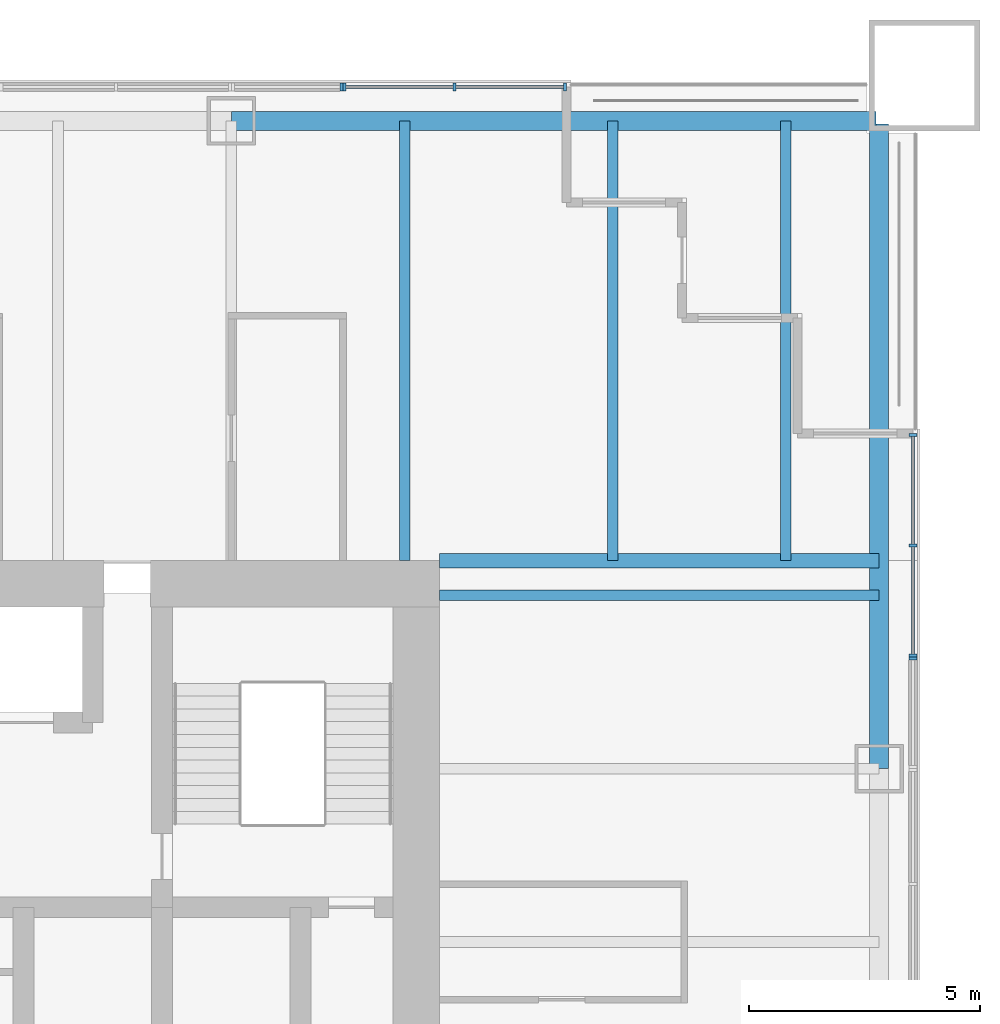
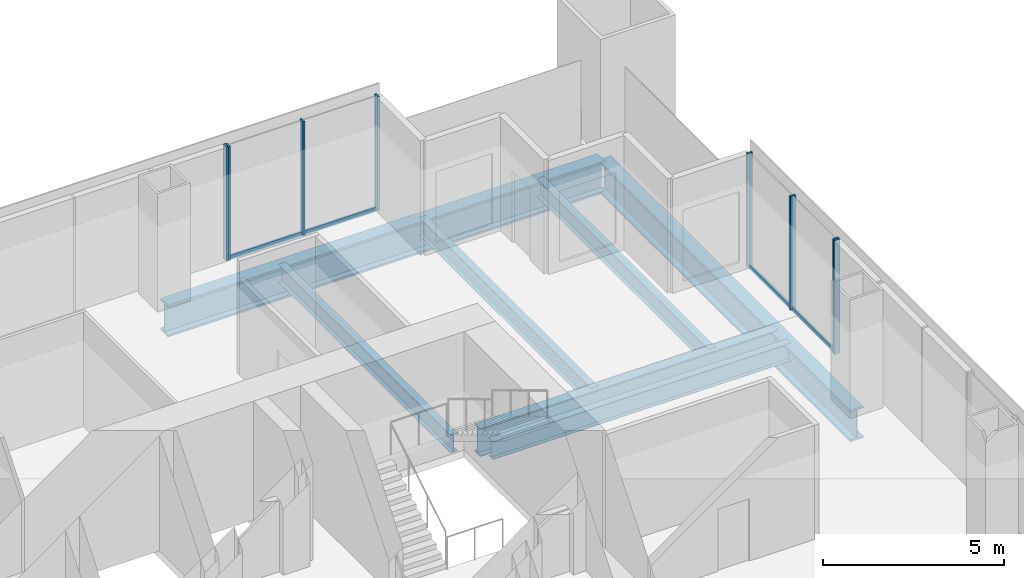
# One storey, part 6 of 13: 12 members, 7 beams, 4 elements without a shape of their own.
"""IFC4 building model written with IfcOpenShell, lengths in metres."""

from ifc_helpers import new_model, si_unit, direction, frame, origin, origin_2d, place, context, subcontext, project, spatial, rectangle, i_section, extrude, material, material_profile, profile_set, type_object, element, aggregate, save


model = new_model("IFC4")

# Units and contexts
model_context = context("Model", 3, precision=1e-05, world=origin(), true_north=direction((0.0, 1.0)))
body_context = subcontext(model_context, "Body", "Model", "MODEL_VIEW")
ifc_project = project(units=[si_unit("LENGTHUNIT", "METRE"), si_unit("AREAUNIT", "SQUARE_METRE"), si_unit("VOLUMEUNIT", "CUBIC_METRE"), si_unit("PLANEANGLEUNIT", "RADIAN"), si_unit("MASSUNIT", "GRAM", prefix="KILO")], contexts=[model_context])

# Site, building, storey
site_placement = place(None, origin())
site = spatial("IfcSite", under=ifc_project, at=site_placement, CompositionType="ELEMENT")
building_placement = place(site_placement, origin())
building = spatial("IfcBuilding", under=site, at=building_placement, Name="Tarangal Relay Tower", CompositionType="ELEMENT")
storey_placement = place(building_placement, frame((0.0, 0.0, 237.89990234375)))
storey = spatial("IfcBuildingStorey", under=building, at=storey_placement, Name="L51", CompositionType="ELEMENT", Elevation=237.89990234375)

# Beams
ifc_material_1 = material(Name="Steel ASTM A992", Category="steel")
ifc_material_profile_1 = material_profile(ifc_material_1, i_section(OverallWidth=0.227783203125, OverallDepth=0.60205078125, WebThickness=0.010498046875, FlangeThickness=0.014892578125, at=origin_2d()), Name="W24X68")
ifc_profile_set_1 = profile_set([ifc_material_profile_1], Name="Steel ASTM A992")
beam_type_1 = type_object("IfcBeamType", Name="Corner beam W24X68", PredefinedType="JOIST", material=ifc_profile_set_1)
for number, where, z_axis, x_axis, name in (
    (1, (15.75, 12.0, -0.450927734375), (0.0, 1.0, 0.0), (-1.0, 0.0, 0.0), "Corner beam CB11 N L51"),
    (2, (19.5, 12.0, -0.450927734375), (0.0, 1.0, 0.0), (-1.0, 0.0, 0.0), "Corner beam CB11 N L51"),
):
    element("IfcBeam", number, at=place(storey_placement, frame(where, z_axis=z_axis, x_axis=x_axis)), inside=storey, type_object=beam_type_1, Name=name, PredefinedType="JOIST", context=body_context, shape_type="SweptSolid", body=[
        extrude(i_section(OverallWidth=0.227783203125, OverallDepth=0.60205078125, WebThickness=0.010498046875, FlangeThickness=0.014892578125, at=origin_2d()), origin(), (0.0, 0.0, 1.0), 9.514892578125),
    ])
ifc_material_profile_2 = material_profile(ifc_material_1, i_section(OverallWidth=0.307373046875, OverallDepth=0.9423828125, WebThickness=0.022216796875, FlangeThickness=0.039794921875, at=origin_2d()), Name="W36X232")
ifc_profile_set_2 = profile_set([ifc_material_profile_2], Name="Steel ASTM A992")
beam_type_2 = type_object("IfcBeamType", Name="Corner girder W36X232", PredefinedType="BEAM", material=ifc_profile_set_2)
beam_placement = place(storey_placement, frame((12.0, 12.0, -0.62109375), z_axis=(1.0, 0.0, 0.0), x_axis=(0.0, 1.0, 0.0)))
element("IfcBeam", 3, at=beam_placement, inside=storey, type_object=beam_type_2, Name="Corner girder CG4 N L51", PredefinedType="BEAM", context=body_context, shape_type="SweptSolid", body=[
    extrude(i_section(OverallWidth=0.307373046875, OverallDepth=0.9423828125, WebThickness=0.022216796875, FlangeThickness=0.039794921875, at=origin_2d()), origin(), (0.0, 0.0, 1.0), 9.514892578125),
])
ifc_material_profile_3 = material_profile(ifc_material_1, i_section(OverallWidth=0.41650390625, OverallDepth=1.0693359375, WebThickness=0.0390625, FlangeThickness=0.070068359375, at=origin_2d()), Name="W40X503")
ifc_profile_set_3 = profile_set([ifc_material_profile_3], Name="Steel ASTM A992")
beam_type_3 = type_object("IfcBeamType", Name="Edge girder W40X503", PredefinedType="SPANDREL", material=ifc_profile_set_3)
for number, where, z_axis, x_axis, name in (
    (4, (7.5, 21.514892578125, -0.6845703125), (1.0, 0.0, 0.0), (0.0, 1.0, 0.0), "Edge girder EG8 N L51"),
    (5, (21.514892578125, 21.449951171875, -0.6845703125), (0.0, -1.0, 0.0), (1.0, 0.0, 0.0), "Edge girder EG8 E L51"),
):
    element("IfcBeam", number, at=place(storey_placement, frame(where, z_axis=z_axis, x_axis=x_axis)), inside=storey, type_object=beam_type_3, Name=name, PredefinedType="SPANDREL", context=body_context, shape_type="SweptSolid", body=[
        extrude(i_section(OverallWidth=0.41650390625, OverallDepth=1.0693359375, WebThickness=0.0390625, FlangeThickness=0.070068359375, at=origin_2d()), origin(), (0.0, 0.0, 1.0), 13.949951171875),
    ])
ifc_material_profile_4 = material_profile(ifc_material_1, i_section(OverallWidth=0.22900390625, OverallDepth=0.612060546875, WebThickness=0.011962890625, FlangeThickness=0.01953125, at=origin_2d()), Name="W24X84")
ifc_profile_set_4 = profile_set([ifc_material_profile_4], Name="Steel ASTM A992")
beam_type_4 = type_object("IfcBeamType", Name="Floor beam W24X84", PredefinedType="BEAM", material=ifc_profile_set_4)
for number, where, z_axis, x_axis, name in (
    (6, (11.25, 12.0, -0.455810546875), (0.0, 1.0, 0.0), (-1.0, 0.0, 0.0), "Floor beam RB12 N L51"),
    (7, (12.0, 11.25, -0.455810546875), (1.0, 0.0, 0.0), (0.0, 1.0, 0.0), "Floor beam RB12 E L51"),
):
    element("IfcBeam", number, at=place(storey_placement, frame(where, z_axis=z_axis, x_axis=x_axis)), inside=storey, type_object=beam_type_4, Name=name, PredefinedType="BEAM", context=body_context, shape_type="SweptSolid", body=[
        extrude(i_section(OverallWidth=0.22900390625, OverallDepth=0.612060546875, WebThickness=0.011962890625, FlangeThickness=0.01953125, at=origin_2d()), origin(), (0.0, 0.0, 1.0), 9.514892578125),
    ])

# Curtain wall, members
ifc_material_2 = material(Name="Unitised curtain wall, dark glass and black aluminium", Category="aluminium")
curtain_wall_type_1 = type_object("IfcCurtainWallType", Name="Curtain wall CW-A", PredefinedType="USERDEFINED", material=ifc_material_2)
curtain_wall_1_placement = place(storey_placement, origin())
curtain_wall_1 = element("IfcCurtainWall", 8, at=curtain_wall_1_placement, inside=storey, type_object=curtain_wall_type_1, Name="Curtain wall CW-A N facade L51", ObjectType="UNITISED CURTAIN WALL", PredefinedType="USERDEFINED")
ifc_material_3 = material(Name="Black anodised aluminium mullion", Category="aluminium")
ifc_material_profile_5 = material_profile(ifc_material_3, rectangle(XDim=0.175048828125, YDim=0.06494140625, at=origin_2d()), Name="CW-AM 65X175")
ifc_profile_set_5 = profile_set([ifc_material_profile_5], Name="Black anodised aluminium mullion")
member_type_1 = type_object("IfcMemberType", Name="Mullion CW-A 65 x 175", PredefinedType="MULLION", material=ifc_profile_set_5)
member_1_placement = place(storey_placement, frame((9.94921875, 22.25, 0.0), z_axis=(0.0, 0.0, 1.0), x_axis=(0.0, 1.0, 0.0)))
member_1 = element("IfcMember", 9, at=member_1_placement, type_object=member_type_1, Name="CW-A mullion 1", PredefinedType="MULLION", context=body_context, shape_type="SweptSolid", body=[
    extrude(rectangle(XDim=0.175048828125, YDim=0.06494140625, at=origin_2d()), origin(), (0.0, 0.0, 1.0), 3.85009765625),
])
member_2_placement = place(storey_placement, frame((12.333251953125, 22.25, 0.0), z_axis=(0.0, 0.0, 1.0), x_axis=(0.0, 1.0, 0.0)))
member_2 = element("IfcMember", 10, at=member_2_placement, type_object=member_type_1, Name="CW-A mullion 2", PredefinedType="MULLION", context=body_context, shape_type="SweptSolid", body=[
    extrude(rectangle(XDim=0.175048828125, YDim=0.06494140625, at=origin_2d()), origin(), (0.0, 0.0, 1.0), 3.85009765625),
])
member_3_placement = place(storey_placement, frame((14.717529296875, 22.25, 0.0), z_axis=(0.0, 0.0, 1.0), x_axis=(0.0, 1.0, 0.0)))
member_3 = element("IfcMember", 11, at=member_3_placement, type_object=member_type_1, Name="CW-A mullion 3", PredefinedType="MULLION", context=body_context, shape_type="SweptSolid", body=[
    extrude(rectangle(XDim=0.175048828125, YDim=0.06494140625, at=origin_2d()), origin(), (0.0, 0.0, 1.0), 3.85009765625),
])

curtain_wall_2_placement = place(storey_placement, origin())
curtain_wall_2 = element("IfcCurtainWall", 12, at=curtain_wall_2_placement, inside=storey, type_object=curtain_wall_type_1, Name="Curtain wall CW-A E facade L51", ObjectType="UNITISED CURTAIN WALL", PredefinedType="USERDEFINED")
member_4_placement = place(storey_placement, frame((22.25, 14.717529296875, 0.0), z_axis=(0.0, 0.0, 1.0), x_axis=(1.0, 0.0, 0.0)))
member_4 = element("IfcMember", 13, at=member_4_placement, type_object=member_type_1, Name="CW-A mullion 1", PredefinedType="MULLION", context=body_context, shape_type="SweptSolid", body=[
    extrude(rectangle(XDim=0.175048828125, YDim=0.06494140625, at=origin_2d()), origin(), (0.0, 0.0, 1.0), 3.85009765625),
])
member_5_placement = place(storey_placement, frame((22.25, 12.333251953125, 0.0), z_axis=(0.0, 0.0, 1.0), x_axis=(1.0, 0.0, 0.0)))
member_5 = element("IfcMember", 14, at=member_5_placement, type_object=member_type_1, Name="CW-A mullion 2", PredefinedType="MULLION", context=body_context, shape_type="SweptSolid", body=[
    extrude(rectangle(XDim=0.175048828125, YDim=0.06494140625, at=origin_2d()), origin(), (0.0, 0.0, 1.0), 3.85009765625),
])
member_6_placement = place(storey_placement, frame((22.25, 9.94921875, 0.0), z_axis=(0.0, 0.0, 1.0), x_axis=(1.0, 0.0, 0.0)))
member_6 = element("IfcMember", 15, at=member_6_placement, type_object=member_type_1, Name="CW-A mullion 3", PredefinedType="MULLION", context=body_context, shape_type="SweptSolid", body=[
    extrude(rectangle(XDim=0.175048828125, YDim=0.06494140625, at=origin_2d()), origin(), (0.0, 0.0, 1.0), 3.85009765625),
])

# Curtain wall, member
ifc_material_4 = material(Name="Unitised curtain wall frame, black aluminium, with metal clad infill walls", Category="aluminium")
curtain_wall_type_2 = type_object("IfcCurtainWallType", Name="Curtain wall CW-AO", PredefinedType="USERDEFINED", material=ifc_material_4)
curtain_wall_3_placement = place(storey_placement, origin())
curtain_wall_3 = element("IfcCurtainWall", 16, at=curtain_wall_3_placement, inside=storey, type_object=curtain_wall_type_2, Name="Curtain wall CW-AO N facade L51", ObjectType="UNITISED CURTAIN WALL", PredefinedType="USERDEFINED")
ifc_material_profile_6 = material_profile(ifc_material_3, rectangle(XDim=0.175048828125, YDim=0.06494140625, at=origin_2d()), Name="CW-AOM 65X175")
ifc_profile_set_6 = profile_set([ifc_material_profile_6], Name="Black anodised aluminium mullion")
member_type_2 = type_object("IfcMemberType", Name="Mullion CW-AO 65 x 175", PredefinedType="MULLION", material=ifc_profile_set_6)
member_7_placement = place(storey_placement, frame((9.88427734375, 22.25, 0.0), z_axis=(0.0, 0.0, 1.0), x_axis=(0.0, 1.0, 0.0)))
member_7 = element("IfcMember", 17, at=member_7_placement, type_object=member_type_2, Name="CW-AO mullion 2", PredefinedType="MULLION", context=body_context, shape_type="SweptSolid", body=[
    extrude(rectangle(XDim=0.175048828125, YDim=0.06494140625, at=origin_2d()), origin(), (0.0, 0.0, 1.0), 3.85009765625),
])
aggregate(curtain_wall_3, [member_7])

curtain_wall_4_placement = place(storey_placement, origin())
curtain_wall_4 = element("IfcCurtainWall", 18, at=curtain_wall_4_placement, inside=storey, type_object=curtain_wall_type_2, Name="Curtain wall CW-AO E facade L51", ObjectType="UNITISED CURTAIN WALL", PredefinedType="USERDEFINED")
member_8_placement = place(storey_placement, frame((22.25, 9.88427734375, 0.0), z_axis=(0.0, 0.0, 1.0), x_axis=(1.0, 0.0, 0.0)))
member_8 = element("IfcMember", 19, at=member_8_placement, type_object=member_type_2, Name="CW-AO mullion 1", PredefinedType="MULLION", context=body_context, shape_type="SweptSolid", body=[
    extrude(rectangle(XDim=0.175048828125, YDim=0.06494140625, at=origin_2d()), origin(), (0.0, 0.0, 1.0), 3.85009765625),
])
aggregate(curtain_wall_4, [member_8])

# Member
ifc_material_5 = material(Name="Black anodised aluminium transom", Category="aluminium")
ifc_material_profile_7 = material_profile(ifc_material_5, rectangle(XDim=0.06494140625, YDim=0.14990234375, at=origin_2d()), Name="CW-AT 65X150")
ifc_profile_set_7 = profile_set([ifc_material_profile_7], Name="Black anodised aluminium transom")
member_type_3 = type_object("IfcMemberType", Name="Transom CW-A 65 x 150", PredefinedType="USERDEFINED", material=ifc_profile_set_7)
member_9_placement = place(storey_placement, frame((9.981689453125, 22.25, 0.03271484375), z_axis=(1.0, 0.0, 0.0), x_axis=(0.0, 1.0, 0.0)))
member_9 = element("IfcMember", 20, at=member_9_placement, type_object=member_type_3, Name="CW-A transom 1.1", ObjectType="TRANSOM", PredefinedType="USERDEFINED", context=body_context, shape_type="SweptSolid", body=[
    extrude(rectangle(XDim=0.06494140625, YDim=0.14990234375, at=origin_2d()), origin(), (0.0, 0.0, 1.0), 2.319091796875),
])

member_10_placement = place(storey_placement, frame((12.365966796875, 22.25, 0.03271484375), z_axis=(1.0, 0.0, 0.0), x_axis=(0.0, 1.0, 0.0)))
member_10 = element("IfcMember", 21, at=member_10_placement, type_object=member_type_3, Name="CW-A transom 2.1", ObjectType="TRANSOM", PredefinedType="USERDEFINED", context=body_context, shape_type="SweptSolid", body=[
    extrude(rectangle(XDim=0.06494140625, YDim=0.14990234375, at=origin_2d()), origin(), (0.0, 0.0, 1.0), 2.319091796875),
])

aggregate(curtain_wall_1, [member_1, member_2, member_3, member_9, member_10])

member_11_placement = place(storey_placement, frame((22.25, 14.68505859375, 0.03271484375), z_axis=(0.0, -1.0, 0.0), x_axis=(1.0, 0.0, 0.0)))
member_11 = element("IfcMember", 22, at=member_11_placement, type_object=member_type_3, Name="CW-A transom 1.1", ObjectType="TRANSOM", PredefinedType="USERDEFINED", context=body_context, shape_type="SweptSolid", body=[
    extrude(rectangle(XDim=0.06494140625, YDim=0.14990234375, at=origin_2d()), origin(), (0.0, 0.0, 1.0), 2.319091796875),
])

member_12_placement = place(storey_placement, frame((22.25, 12.30078125, 0.03271484375), z_axis=(0.0, -1.0, 0.0), x_axis=(1.0, 0.0, 0.0)))
member_12 = element("IfcMember", 23, at=member_12_placement, type_object=member_type_3, Name="CW-A transom 2.1", ObjectType="TRANSOM", PredefinedType="USERDEFINED", context=body_context, shape_type="SweptSolid", body=[
    extrude(rectangle(XDim=0.06494140625, YDim=0.14990234375, at=origin_2d()), origin(), (0.0, 0.0, 1.0), 2.319091796875),
])

aggregate(curtain_wall_2, [member_4, member_5, member_6, member_11, member_12])

save(model, "model.ifc")
